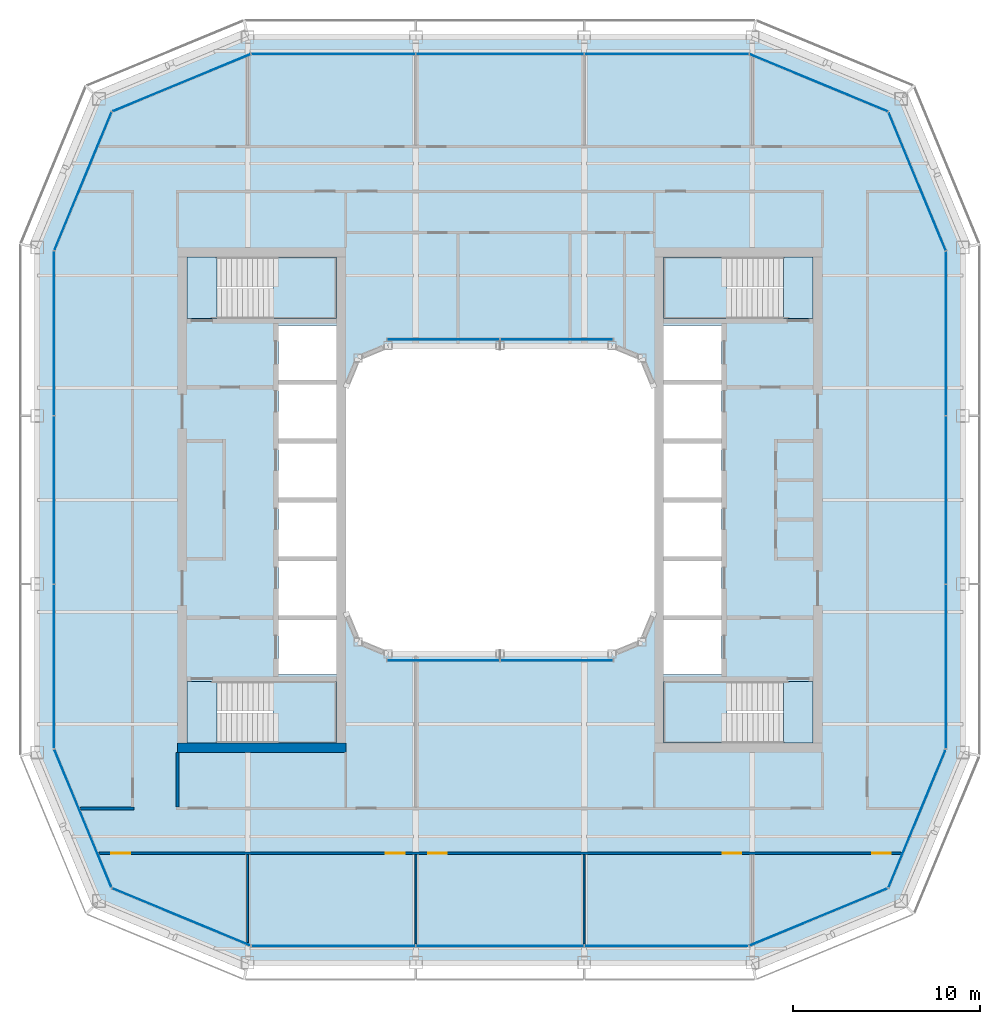
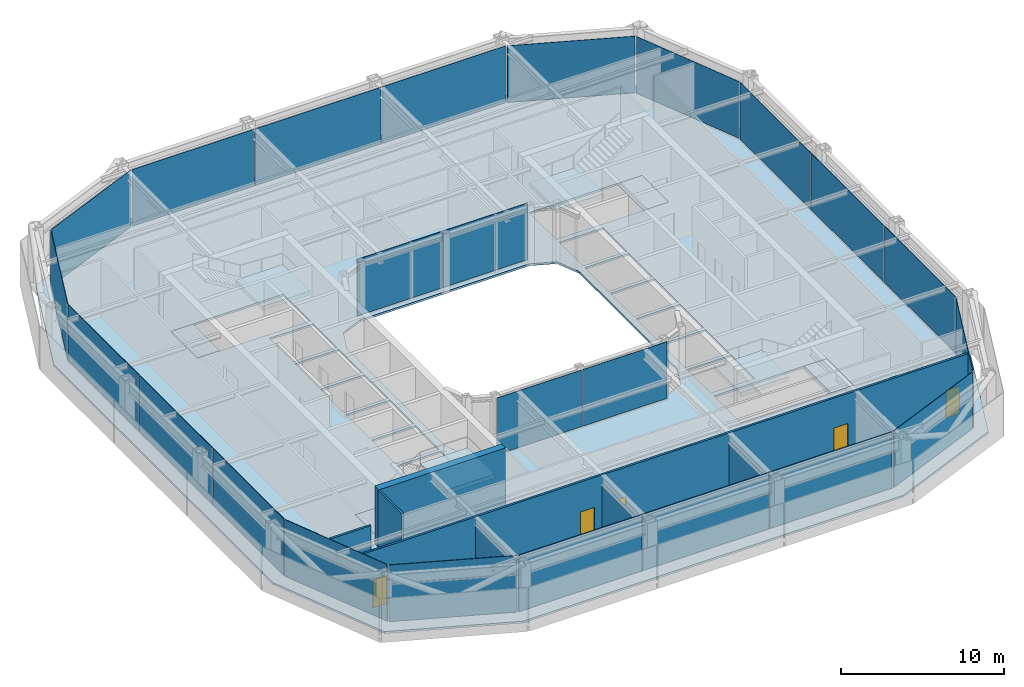
# One storey, part 10 of 18: 24 plates, 9 slabs, 7 walls, 5 doors, 5 openings, 18 elements without a shape of their own.
"""IFC4 building model written with IfcOpenShell, lengths in metres."""

from ifc_helpers import new_model, si_unit, direction, frame, frame_2d, origin, origin_2d, place, context, subcontext, project, spatial, polyline, rectangle, outline, extrude, material, layer, layer_set, type_object, element, fill, aggregate, save


model = new_model("IFC4")

# Units and contexts
model_context = context("Model", 3, precision=1e-05, world=origin(), true_north=direction((0.0, 1.0)))
body_context = subcontext(model_context, "Body", "Model", "MODEL_VIEW")
ifc_project = project(units=[si_unit("LENGTHUNIT", "METRE"), si_unit("AREAUNIT", "SQUARE_METRE"), si_unit("VOLUMEUNIT", "CUBIC_METRE"), si_unit("PLANEANGLEUNIT", "RADIAN"), si_unit("MASSUNIT", "GRAM", prefix="KILO")], contexts=[model_context])

# Site, building, storey
site_placement = place(None, origin())
site = spatial("IfcSite", under=ifc_project, at=site_placement, CompositionType="ELEMENT")
building_placement = place(site_placement, origin())
building = spatial("IfcBuilding", under=site, at=building_placement, Name="Siwar Civic Tower", CompositionType="ELEMENT")
storey_placement = place(building_placement, frame((0.0, 0.0, 321.199951171875)))
storey = spatial("IfcBuildingStorey", under=building, at=storey_placement, Name="L69", CompositionType="ELEMENT", Elevation=321.199951171875)

# Stair, slabs
ifc_material_1 = material(Name="Concrete C40/50", Category="concrete")
stair_type = type_object("IfcStairType", Name="CORE-STAIR", PredefinedType="TWO_STRAIGHT_RUN_STAIR", material=ifc_material_1)
stair_1_placement = place(storey_placement, origin())
stair_1 = element("IfcStair", 1, at=stair_1_placement, inside=storey, type_object=stair_type, Name="Exit stair ST1", PredefinedType="TWO_STRAIGHT_RUN_STAIR")
ifc_material_2 = material(Name="Concrete C40/50", Category="concrete")
ifc_layer_1 = layer(ifc_material_2, 0.300048828125)
ifc_layer_set_1 = layer_set([ifc_layer_1], Name="Concrete C40/50")
slab_type_1 = type_object("IfcSlabType", Name="CORE-STAIR-LANDING", PredefinedType="LANDING", material=ifc_layer_set_1)
slab_1_placement = place(storey_placement, frame((0.0, 0.0, -0.300048828125)))
slab_1 = element("IfcSlab", 2, at=slab_1_placement, type_object=slab_type_1, Name="ST1 landing 1", PredefinedType="LANDING", context=body_context, shape_type="SweptSolid", body=[
    extrude(outline(polyline([(-15.14990234375, 13.0), (-16.75, 13.0), (-16.75, 9.699951171875), (-15.14990234375, 9.699951171875), (-15.14990234375, 13.0)])), origin(), (0.0, 0.0, 1.0), 0.300048828125),
])
slab_2_placement = place(storey_placement, frame((0.0, 0.0, 1.949951171875)))
slab_2 = element("IfcSlab", 3, at=slab_2_placement, type_object=slab_type_1, Name="ST1 landing 2", PredefinedType="LANDING", context=body_context, shape_type="SweptSolid", body=[
    extrude(outline(polyline([(-8.75, 13.0), (-12.139892578125, 13.0), (-12.139892578125, 9.699951171875), (-8.75, 9.699951171875), (-8.75, 13.0)])), origin(), (0.0, 0.0, 1.0), 0.300048828125),
])
aggregate(stair_1, [slab_1, slab_2])

stair_2_placement = place(storey_placement, origin())
stair_2 = element("IfcStair", 4, at=stair_2_placement, inside=storey, type_object=stair_type, Name="Exit stair ST2", PredefinedType="TWO_STRAIGHT_RUN_STAIR")
slab_3_placement = place(storey_placement, frame((0.0, 0.0, -0.300048828125)))
slab_3 = element("IfcSlab", 5, at=slab_3_placement, type_object=slab_type_1, Name="ST2 landing 1", PredefinedType="LANDING", context=body_context, shape_type="SweptSolid", body=[
    extrude(outline(polyline([(-15.14990234375, -9.699951171875), (-16.75, -9.699951171875), (-16.75, -13.0), (-15.14990234375, -13.0), (-15.14990234375, -9.699951171875)])), origin(), (0.0, 0.0, 1.0), 0.300048828125),
])
slab_4_placement = place(storey_placement, frame((0.0, 0.0, 1.949951171875)))
slab_4 = element("IfcSlab", 6, at=slab_4_placement, type_object=slab_type_1, Name="ST2 landing 2", PredefinedType="LANDING", context=body_context, shape_type="SweptSolid", body=[
    extrude(outline(polyline([(-8.75, -9.699951171875), (-12.139892578125, -9.699951171875), (-12.139892578125, -13.0), (-8.75, -13.0), (-8.75, -9.699951171875)])), origin(), (0.0, 0.0, 1.0), 0.300048828125),
])
aggregate(stair_2, [slab_3, slab_4])

stair_3_placement = place(storey_placement, origin())
stair_3 = element("IfcStair", 7, at=stair_3_placement, inside=storey, type_object=stair_type, Name="Exit stair ST3", PredefinedType="TWO_STRAIGHT_RUN_STAIR")
slab_5_placement = place(storey_placement, frame((0.0, 0.0, -0.300048828125)))
slab_5 = element("IfcSlab", 8, at=slab_5_placement, type_object=slab_type_1, Name="ST3 landing 1", PredefinedType="LANDING", context=body_context, shape_type="SweptSolid", body=[
    extrude(outline(polyline([(15.14990234375, 9.699951171875), (16.75, 9.699951171875), (16.75, 13.0), (15.14990234375, 13.0), (15.14990234375, 9.699951171875)])), origin(), (0.0, 0.0, 1.0), 0.300048828125),
])
slab_6_placement = place(storey_placement, frame((0.0, 0.0, 1.949951171875)))
slab_6 = element("IfcSlab", 9, at=slab_6_placement, type_object=slab_type_1, Name="ST3 landing 2", PredefinedType="LANDING", context=body_context, shape_type="SweptSolid", body=[
    extrude(outline(polyline([(8.75, 9.699951171875), (12.139892578125, 9.699951171875), (12.139892578125, 13.0), (8.75, 13.0), (8.75, 9.699951171875)])), origin(), (0.0, 0.0, 1.0), 0.300048828125),
])
aggregate(stair_3, [slab_5, slab_6])

stair_4_placement = place(storey_placement, origin())
stair_4 = element("IfcStair", 10, at=stair_4_placement, inside=storey, type_object=stair_type, Name="Exit stair ST4", PredefinedType="TWO_STRAIGHT_RUN_STAIR")
slab_7_placement = place(storey_placement, frame((0.0, 0.0, -0.300048828125)))
slab_7 = element("IfcSlab", 11, at=slab_7_placement, type_object=slab_type_1, Name="ST4 landing 1", PredefinedType="LANDING", context=body_context, shape_type="SweptSolid", body=[
    extrude(outline(polyline([(15.14990234375, -13.0), (16.75, -13.0), (16.75, -9.699951171875), (15.14990234375, -9.699951171875), (15.14990234375, -13.0)])), origin(), (0.0, 0.0, 1.0), 0.300048828125),
])
slab_8_placement = place(storey_placement, frame((0.0, 0.0, 1.949951171875)))
slab_8 = element("IfcSlab", 12, at=slab_8_placement, type_object=slab_type_1, Name="ST4 landing 2", PredefinedType="LANDING", context=body_context, shape_type="SweptSolid", body=[
    extrude(outline(polyline([(8.75, -13.0), (12.139892578125, -13.0), (12.139892578125, -9.699951171875), (8.75, -9.699951171875), (8.75, -13.0)])), origin(), (0.0, 0.0, 1.0), 0.300048828125),
])
aggregate(stair_4, [slab_7, slab_8])

# Curtain wall, plates
ifc_material_3 = material(Name="Aluminium and glass", Category="aluminium")
ifc_layer_2 = layer(ifc_material_3, 0.159912109375)
ifc_layer_set_2 = layer_set([ifc_layer_2], Name="Aluminium and glass")
curtain_wall_type_1 = type_object("IfcCurtainWallType", Name="ENV-CW-D", PredefinedType="NOTDEFINED", material=ifc_layer_set_2)
curtain_wall_1_placement = place(storey_placement, origin())
curtain_wall_1 = element("IfcCurtainWall", 13, at=curtain_wall_1_placement, inside=storey, type_object=curtain_wall_type_1, Name="Curtain wall D S", PredefinedType="NOTDEFINED")
ifc_material_4 = material(Name="Glass clear laminated", Category="glass")
ifc_layer_3 = layer(ifc_material_4, 0.030029296875)
ifc_layer_set_3 = layer_set([ifc_layer_3], Name="Glass clear laminated")
plate_type_1 = type_object("IfcPlateType", Name="ENV-PANEL-D", PredefinedType="CURTAIN_PANEL", material=ifc_layer_set_3)
plate_1_placement = place(storey_placement, frame((-8.910400390625, -23.85009765625, 0.10009765625), z_axis=(0.0, 0.0, 1.0), x_axis=(1.0, 0.0, 0.0)))
plate_1 = element("IfcPlate", 14, at=plate_1_placement, type_object=plate_type_1, Name="Curtain panel D S 1", PredefinedType="CURTAIN_PANEL", context=body_context, shape_type="SweptSolid", body=[
    extrude(rectangle(XDim=8.760986328125, YDim=0.030029296875, at=origin_2d()), origin(), (0.0, 0.0, 1.0), 4.25),
])
plate_2_placement = place(storey_placement, frame((0.0, -23.85009765625, 0.10009765625), z_axis=(0.0, 0.0, 1.0), x_axis=(1.0, 0.0, 0.0)))
plate_2 = element("IfcPlate", 15, at=plate_2_placement, type_object=plate_type_1, Name="Curtain panel D S 2", PredefinedType="CURTAIN_PANEL", context=body_context, shape_type="SweptSolid", body=[
    extrude(rectangle(XDim=8.93994140625, YDim=0.030029296875, at=origin_2d()), origin(), (0.0, 0.0, 1.0), 4.25),
])
plate_3_placement = place(storey_placement, frame((8.876708984375, -23.85009765625, 0.10009765625), z_axis=(0.0, 0.0, 1.0), x_axis=(1.0, 0.0, 0.0)))
plate_3 = element("IfcPlate", 16, at=plate_3_placement, type_object=plate_type_1, Name="Curtain panel D S 3", PredefinedType="CURTAIN_PANEL", context=body_context, shape_type="SweptSolid", body=[
    extrude(rectangle(XDim=8.693115234375, YDim=0.030029296875, at=origin_2d()), origin(), (0.0, 0.0, 1.0), 4.25),
])
aggregate(curtain_wall_1, [plate_1, plate_2, plate_3])

curtain_wall_2_placement = place(storey_placement, origin())
curtain_wall_2 = element("IfcCurtainWall", 17, at=curtain_wall_2_placement, inside=storey, type_object=curtain_wall_type_1, Name="Curtain wall D E", PredefinedType="NOTDEFINED")
plate_4_placement = place(storey_placement, frame((23.85009765625, -8.910400390625, 0.10009765625), z_axis=(0.0, 0.0, 1.0), x_axis=(0.0, 1.0, 0.0)))
plate_4 = element("IfcPlate", 18, at=plate_4_placement, type_object=plate_type_1, Name="Curtain panel D E 1", PredefinedType="CURTAIN_PANEL", context=body_context, shape_type="SweptSolid", body=[
    extrude(rectangle(XDim=8.760986328125, YDim=0.030029296875, at=origin_2d()), origin(), (0.0, 0.0, 1.0), 4.25),
])
plate_5_placement = place(storey_placement, frame((23.85009765625, 0.0, 0.10009765625), z_axis=(0.0, 0.0, 1.0), x_axis=(0.0, 1.0, 0.0)))
plate_5 = element("IfcPlate", 19, at=plate_5_placement, type_object=plate_type_1, Name="Curtain panel D E 2", PredefinedType="CURTAIN_PANEL", context=body_context, shape_type="SweptSolid", body=[
    extrude(rectangle(XDim=8.93994140625, YDim=0.030029296875, at=origin_2d()), origin(), (0.0, 0.0, 1.0), 4.25),
])
plate_6_placement = place(storey_placement, frame((23.85009765625, 8.876708984375, 0.10009765625), z_axis=(0.0, 0.0, 1.0), x_axis=(0.0, 1.0, 0.0)))
plate_6 = element("IfcPlate", 20, at=plate_6_placement, type_object=plate_type_1, Name="Curtain panel D E 3", PredefinedType="CURTAIN_PANEL", context=body_context, shape_type="SweptSolid", body=[
    extrude(rectangle(XDim=8.693115234375, YDim=0.030029296875, at=origin_2d()), origin(), (0.0, 0.0, 1.0), 4.25),
])
aggregate(curtain_wall_2, [plate_4, plate_5, plate_6])

curtain_wall_3_placement = place(storey_placement, origin())
curtain_wall_3 = element("IfcCurtainWall", 21, at=curtain_wall_3_placement, inside=storey, type_object=curtain_wall_type_1, Name="Curtain wall D N", PredefinedType="NOTDEFINED")
plate_7_placement = place(storey_placement, frame((8.910400390625, 23.85009765625, 0.10009765625), z_axis=(0.0, 0.0, 1.0), x_axis=(-1.0, 0.0, 0.0)))
plate_7 = element("IfcPlate", 22, at=plate_7_placement, type_object=plate_type_1, Name="Curtain panel D N 1", PredefinedType="CURTAIN_PANEL", context=body_context, shape_type="SweptSolid", body=[
    extrude(rectangle(XDim=8.760986328125, YDim=0.030029296875, at=origin_2d()), origin(), (0.0, 0.0, 1.0), 4.25),
])
plate_8_placement = place(storey_placement, frame((0.0, 23.85009765625, 0.10009765625), z_axis=(0.0, 0.0, 1.0), x_axis=(-1.0, 0.0, 0.0)))
plate_8 = element("IfcPlate", 23, at=plate_8_placement, type_object=plate_type_1, Name="Curtain panel D N 2", PredefinedType="CURTAIN_PANEL", context=body_context, shape_type="SweptSolid", body=[
    extrude(rectangle(XDim=8.93994140625, YDim=0.030029296875, at=origin_2d()), origin(), (0.0, 0.0, 1.0), 4.25),
])
plate_9_placement = place(storey_placement, frame((-8.876708984375, 23.85009765625, 0.10009765625), z_axis=(0.0, 0.0, 1.0), x_axis=(-1.0, 0.0, 0.0)))
plate_9 = element("IfcPlate", 24, at=plate_9_placement, type_object=plate_type_1, Name="Curtain panel D N 3", PredefinedType="CURTAIN_PANEL", context=body_context, shape_type="SweptSolid", body=[
    extrude(rectangle(XDim=8.693115234375, YDim=0.030029296875, at=origin_2d()), origin(), (0.0, 0.0, 1.0), 4.25),
])
aggregate(curtain_wall_3, [plate_7, plate_8, plate_9])

curtain_wall_4_placement = place(storey_placement, origin())
curtain_wall_4 = element("IfcCurtainWall", 25, at=curtain_wall_4_placement, inside=storey, type_object=curtain_wall_type_1, Name="Curtain wall D W", PredefinedType="NOTDEFINED")
plate_10_placement = place(storey_placement, frame((-23.85009765625, 8.910400390625, 0.10009765625), z_axis=(0.0, 0.0, 1.0), x_axis=(0.0, -1.0, 0.0)))
plate_10 = element("IfcPlate", 26, at=plate_10_placement, type_object=plate_type_1, Name="Curtain panel D W 1", PredefinedType="CURTAIN_PANEL", context=body_context, shape_type="SweptSolid", body=[
    extrude(rectangle(XDim=8.760986328125, YDim=0.030029296875, at=origin_2d()), origin(), (0.0, 0.0, 1.0), 4.25),
])
plate_11_placement = place(storey_placement, frame((-23.85009765625, 0.0, 0.10009765625), z_axis=(0.0, 0.0, 1.0), x_axis=(0.0, -1.0, 0.0)))
plate_11 = element("IfcPlate", 27, at=plate_11_placement, type_object=plate_type_1, Name="Curtain panel D W 2", PredefinedType="CURTAIN_PANEL", context=body_context, shape_type="SweptSolid", body=[
    extrude(rectangle(XDim=8.93994140625, YDim=0.030029296875, at=origin_2d()), origin(), (0.0, 0.0, 1.0), 4.25),
])
plate_12_placement = place(storey_placement, frame((-23.85009765625, -8.876708984375, 0.10009765625), z_axis=(0.0, 0.0, 1.0), x_axis=(0.0, -1.0, 0.0)))
plate_12 = element("IfcPlate", 28, at=plate_12_placement, type_object=plate_type_1, Name="Curtain panel D W 3", PredefinedType="CURTAIN_PANEL", context=body_context, shape_type="SweptSolid", body=[
    extrude(rectangle(XDim=8.693115234375, YDim=0.030029296875, at=origin_2d()), origin(), (0.0, 0.0, 1.0), 4.25),
])
aggregate(curtain_wall_4, [plate_10, plate_11, plate_12])

# Curtain wall, plate
ifc_material_5 = material(Name="Aluminium clad insulated panel", Category="aluminium")
ifc_layer_4 = layer(ifc_material_5, 0.159912109375)
ifc_layer_set_4 = layer_set([ifc_layer_4], Name="Aluminium clad insulated panel")
curtain_wall_type_2 = type_object("IfcCurtainWallType", Name="ENV-CW-DX", PredefinedType="NOTDEFINED", material=ifc_layer_set_4)
curtain_wall_5_placement = place(storey_placement, origin())
curtain_wall_5 = element("IfcCurtainWall", 29, at=curtain_wall_5_placement, inside=storey, type_object=curtain_wall_type_2, Name="Curtain wall D SE1", PredefinedType="NOTDEFINED")
ifc_material_6 = material(Name="Aluminium clad insulated panel", Category="aluminium")
ifc_layer_5 = layer(ifc_material_6, 0.030029296875)
ifc_layer_set_5 = layer_set([ifc_layer_5], Name="Aluminium clad insulated panel")
plate_type_2 = type_object("IfcPlateType", Name="ENV-PANEL-DX", PredefinedType="CURTAIN_PANEL", material=ifc_layer_set_5)
plate_13_placement = place(storey_placement, frame((17.01220703125, -22.321044921875, 0.10009765625), z_axis=(0.0, 0.0, 1.0), x_axis=(0.923879532511, 0.382683432365, 0.0)))
plate_13 = element("IfcPlate", 30, at=plate_13_placement, type_object=plate_type_2, Name="Curtain panel D SE1 1", PredefinedType="CURTAIN_PANEL", context=body_context, shape_type="SweptSolid", body=[
    extrude(rectangle(XDim=7.9306640625, YDim=0.030029296875, at=origin_2d()), origin(), (0.0, 0.0, 1.0), 4.25),
])
aggregate(curtain_wall_5, [plate_13])

curtain_wall_6_placement = place(storey_placement, origin())
curtain_wall_6 = element("IfcCurtainWall", 31, at=curtain_wall_6_placement, inside=storey, type_object=curtain_wall_type_2, Name="Curtain wall D SE2", PredefinedType="NOTDEFINED")
plate_14_placement = place(storey_placement, frame((22.295166015625, -17.074951171875, 0.10009765625), z_axis=(0.0, 0.0, 1.0), x_axis=(0.382683432365, 0.923879532511, 0.0)))
plate_14 = element("IfcPlate", 32, at=plate_14_placement, type_object=plate_type_2, Name="Curtain panel D SE2 1", PredefinedType="CURTAIN_PANEL", context=body_context, shape_type="SweptSolid", body=[
    extrude(rectangle(XDim=7.9306640625, YDim=0.030029296875, at=origin_2d()), origin(), (0.0, 0.0, 1.0), 4.25),
])
aggregate(curtain_wall_6, [plate_14])

curtain_wall_7_placement = place(storey_placement, origin())
curtain_wall_7 = element("IfcCurtainWall", 33, at=curtain_wall_7_placement, inside=storey, type_object=curtain_wall_type_2, Name="Curtain wall D NE1", PredefinedType="NOTDEFINED")
plate_15_placement = place(storey_placement, frame((22.321044921875, 17.01220703125, 0.10009765625), z_axis=(0.0, 0.0, 1.0), x_axis=(-0.382683432365, 0.923879532511, 0.0)))
plate_15 = element("IfcPlate", 34, at=plate_15_placement, type_object=plate_type_2, Name="Curtain panel D NE1 1", PredefinedType="CURTAIN_PANEL", context=body_context, shape_type="SweptSolid", body=[
    extrude(rectangle(XDim=7.9306640625, YDim=0.030029296875, at=origin_2d()), origin(), (0.0, 0.0, 1.0), 4.25),
])
aggregate(curtain_wall_7, [plate_15])

curtain_wall_8_placement = place(storey_placement, origin())
curtain_wall_8 = element("IfcCurtainWall", 35, at=curtain_wall_8_placement, inside=storey, type_object=curtain_wall_type_2, Name="Curtain wall D NE2", PredefinedType="NOTDEFINED")
plate_16_placement = place(storey_placement, frame((17.074951171875, 22.295166015625, 0.10009765625), z_axis=(0.0, 0.0, 1.0), x_axis=(-0.923879532511, 0.382683432365, 0.0)))
plate_16 = element("IfcPlate", 36, at=plate_16_placement, type_object=plate_type_2, Name="Curtain panel D NE2 1", PredefinedType="CURTAIN_PANEL", context=body_context, shape_type="SweptSolid", body=[
    extrude(rectangle(XDim=7.9306640625, YDim=0.030029296875, at=origin_2d()), origin(), (0.0, 0.0, 1.0), 4.25),
])
aggregate(curtain_wall_8, [plate_16])

curtain_wall_9_placement = place(storey_placement, origin())
curtain_wall_9 = element("IfcCurtainWall", 37, at=curtain_wall_9_placement, inside=storey, type_object=curtain_wall_type_2, Name="Curtain wall D NW1", PredefinedType="NOTDEFINED")
plate_17_placement = place(storey_placement, frame((-17.01220703125, 22.321044921875, 0.10009765625), z_axis=(0.0, 0.0, 1.0), x_axis=(-0.923879532511, -0.382683432365, 0.0)))
plate_17 = element("IfcPlate", 38, at=plate_17_placement, type_object=plate_type_2, Name="Curtain panel D NW1 1", PredefinedType="CURTAIN_PANEL", context=body_context, shape_type="SweptSolid", body=[
    extrude(rectangle(XDim=7.9306640625, YDim=0.030029296875, at=origin_2d()), origin(), (0.0, 0.0, 1.0), 4.25),
])
aggregate(curtain_wall_9, [plate_17])

curtain_wall_10_placement = place(storey_placement, origin())
curtain_wall_10 = element("IfcCurtainWall", 39, at=curtain_wall_10_placement, inside=storey, type_object=curtain_wall_type_2, Name="Curtain wall D NW2", PredefinedType="NOTDEFINED")
plate_18_placement = place(storey_placement, frame((-22.295166015625, 17.074951171875, 0.10009765625), z_axis=(0.0, 0.0, 1.0), x_axis=(-0.382683432365, -0.923879532511, 0.0)))
plate_18 = element("IfcPlate", 40, at=plate_18_placement, type_object=plate_type_2, Name="Curtain panel D NW2 1", PredefinedType="CURTAIN_PANEL", context=body_context, shape_type="SweptSolid", body=[
    extrude(rectangle(XDim=7.9306640625, YDim=0.030029296875, at=origin_2d()), origin(), (0.0, 0.0, 1.0), 4.25),
])
aggregate(curtain_wall_10, [plate_18])

curtain_wall_11_placement = place(storey_placement, origin())
curtain_wall_11 = element("IfcCurtainWall", 41, at=curtain_wall_11_placement, inside=storey, type_object=curtain_wall_type_2, Name="Curtain wall D SW1", PredefinedType="NOTDEFINED")
plate_19_placement = place(storey_placement, frame((-22.321044921875, -17.01220703125, 0.10009765625), z_axis=(0.0, 0.0, 1.0), x_axis=(0.382683432365, -0.923879532511, 0.0)))
plate_19 = element("IfcPlate", 42, at=plate_19_placement, type_object=plate_type_2, Name="Curtain panel D SW1 1", PredefinedType="CURTAIN_PANEL", context=body_context, shape_type="SweptSolid", body=[
    extrude(rectangle(XDim=7.9306640625, YDim=0.030029296875, at=origin_2d()), origin(), (0.0, 0.0, 1.0), 4.25),
])
aggregate(curtain_wall_11, [plate_19])

curtain_wall_12_placement = place(storey_placement, origin())
curtain_wall_12 = element("IfcCurtainWall", 43, at=curtain_wall_12_placement, inside=storey, type_object=curtain_wall_type_2, Name="Curtain wall D SW2", PredefinedType="NOTDEFINED")
plate_20_placement = place(storey_placement, frame((-17.074951171875, -22.295166015625, 0.10009765625), z_axis=(0.0, 0.0, 1.0), x_axis=(0.923879532511, -0.382683432365, 0.0)))
plate_20 = element("IfcPlate", 44, at=plate_20_placement, type_object=plate_type_2, Name="Curtain panel D SW2 1", PredefinedType="CURTAIN_PANEL", context=body_context, shape_type="SweptSolid", body=[
    extrude(rectangle(XDim=7.9306640625, YDim=0.030029296875, at=origin_2d()), origin(), (0.0, 0.0, 1.0), 4.25),
])
aggregate(curtain_wall_12, [plate_20])

# Curtain wall, plates
ifc_material_7 = material(Name="Aluminium and glass", Category="aluminium")
ifc_layer_6 = layer(ifc_material_7, 0.179931640625)
ifc_layer_set_6 = layer_set([ifc_layer_6], Name="Aluminium and glass")
curtain_wall_type_3 = type_object("IfcCurtainWallType", Name="ENV-CW-W", PredefinedType="NOTDEFINED", material=ifc_layer_set_6)
curtain_wall_13_placement = place(storey_placement, origin())
curtain_wall_13 = element("IfcCurtainWall", 45, at=curtain_wall_13_placement, inside=storey, type_object=curtain_wall_type_3, Name="Curtain wall W WS", PredefinedType="NOTDEFINED")
ifc_material_8 = material(Name="Glass clear laminated", Category="glass")
ifc_layer_7 = layer(ifc_material_8, 0.031982421875)
ifc_layer_set_7 = layer_set([ifc_layer_7], Name="Glass clear laminated")
plate_type_3 = type_object("IfcPlateType", Name="ENV-PANEL-W", PredefinedType="CURTAIN_PANEL", material=ifc_layer_set_7)
plate_21_placement = place(storey_placement, frame((-3.033203125, -8.5849609375, 0.10009765625), z_axis=(0.0, 0.0, 1.0), x_axis=(1.0, 0.0, 0.0)))
plate_21 = element("IfcPlate", 46, at=plate_21_placement, type_object=plate_type_3, Name="Curtain panel W WS 1", PredefinedType="CURTAIN_PANEL", context=body_context, shape_type="SweptSolid", body=[
    extrude(rectangle(XDim=6.006591796875, YDim=0.031982421875, at=origin_2d()), origin(), (0.0, 0.0, 1.0), 4.25),
])
plate_22_placement = place(storey_placement, frame((3.033203125, -8.5849609375, 0.10009765625), z_axis=(0.0, 0.0, 1.0), x_axis=(1.0, 0.0, 0.0)))
plate_22 = element("IfcPlate", 47, at=plate_22_placement, type_object=plate_type_3, Name="Curtain panel W WS 2", PredefinedType="CURTAIN_PANEL", context=body_context, shape_type="SweptSolid", body=[
    extrude(rectangle(XDim=6.006591796875, YDim=0.031982421875, at=origin_2d()), origin(), (0.0, 0.0, 1.0), 4.25),
])
aggregate(curtain_wall_13, [plate_21, plate_22])

curtain_wall_14_placement = place(storey_placement, origin())
curtain_wall_14 = element("IfcCurtainWall", 48, at=curtain_wall_14_placement, inside=storey, type_object=curtain_wall_type_3, Name="Curtain wall W WN", PredefinedType="NOTDEFINED")
plate_23_placement = place(storey_placement, frame((3.033203125, 8.5849609375, 0.10009765625), z_axis=(0.0, 0.0, 1.0), x_axis=(-1.0, 0.0, 0.0)))
plate_23 = element("IfcPlate", 49, at=plate_23_placement, type_object=plate_type_3, Name="Curtain panel W WN 1", PredefinedType="CURTAIN_PANEL", context=body_context, shape_type="SweptSolid", body=[
    extrude(rectangle(XDim=6.006591796875, YDim=0.031982421875, at=origin_2d()), origin(), (0.0, 0.0, 1.0), 4.25),
])
plate_24_placement = place(storey_placement, frame((-3.033203125, 8.5849609375, 0.10009765625), z_axis=(0.0, 0.0, 1.0), x_axis=(-1.0, 0.0, 0.0)))
plate_24 = element("IfcPlate", 50, at=plate_24_placement, type_object=plate_type_3, Name="Curtain panel W WN 2", PredefinedType="CURTAIN_PANEL", context=body_context, shape_type="SweptSolid", body=[
    extrude(rectangle(XDim=6.006591796875, YDim=0.031982421875, at=origin_2d()), origin(), (0.0, 0.0, 1.0), 4.25),
])
aggregate(curtain_wall_14, [plate_23, plate_24])

# Slab
ifc_material_9 = material(Name="Concrete C40/50", Category="concrete")
ifc_layer_8 = layer(ifc_material_9, 0.14990234375)
ifc_layer_set_8 = layer_set([ifc_layer_8], Name="Concrete C40/50")
slab_type_2 = type_object("IfcSlabType", Name="STR-FLOOR-DECK-150", PredefinedType="FLOOR", material=ifc_layer_set_8)
slab_9_placement = place(storey_placement, frame((0.0, 0.0, -0.14990234375)))
element("IfcSlab", 51, at=slab_9_placement, inside=storey, type_object=slab_type_2, Name="L69/slab/1", PredefinedType="FLOOR", context=body_context, shape_type="SweptSolid", body=[
    extrude(outline(polyline([(-13.5, -24.75), (13.5, -24.75), (21.454833984375, -21.454833984375), (24.75, -13.5), (24.75, 13.5), (21.454833984375, 21.454833984375), (13.5, 24.75), (-13.5, 24.75), (-21.454833984375, 21.454833984375), (-24.75, 13.5), (-24.75, -13.5), (-21.454833984375, -21.454833984375), (-13.5, -24.75)]), holes=[polyline([(16.75, 13.0), (16.75, 9.699951171875), (8.75, 9.699951171875), (8.75, 13.0), (16.75, 13.0)]), polyline([(8.75, -9.699951171875), (16.75, -9.699951171875), (16.75, -13.0), (8.75, -13.0), (8.75, -9.699951171875)]), polyline([(11.85009765625, 9.324951171875), (11.85009765625, 6.425048828125), (8.75, 6.425048828125), (8.75, 9.324951171875), (11.85009765625, 9.324951171875)]), polyline([(8.75, 6.175048828125), (11.85009765625, 6.175048828125), (11.85009765625, 3.27490234375), (8.75, 3.27490234375), (8.75, 6.175048828125)]), polyline([(8.75, 3.02490234375), (11.85009765625, 3.02490234375), (11.85009765625, 0.125), (8.75, 0.125), (8.75, 3.02490234375)]), polyline([(8.75, -0.125), (11.85009765625, -0.125), (11.85009765625, -3.02490234375), (8.75, -3.02490234375), (8.75, -0.125)]), polyline([(8.75, -3.27490234375), (11.85009765625, -3.27490234375), (11.85009765625, -6.175048828125), (8.75, -6.175048828125), (8.75, -3.27490234375)]), polyline([(8.75, -6.425048828125), (11.85009765625, -6.425048828125), (11.85009765625, -9.324951171875), (8.75, -9.324951171875), (8.75, -6.425048828125)]), polyline([(-6.0, 8.25), (6.0, 8.25), (7.591064453125, 7.591064453125), (8.25, 6.0), (8.25, -6.0), (7.591064453125, -7.591064453125), (6.0, -8.25), (-6.0, -8.25), (-7.591064453125, -7.591064453125), (-8.25, -6.0), (-8.25, 6.0), (-7.591064453125, 7.591064453125), (-6.0, 8.25)]), polyline([(-8.75, -13.0), (-16.75, -13.0), (-16.75, -9.699951171875), (-8.75, -9.699951171875), (-8.75, -13.0)]), polyline([(-8.75, 9.699951171875), (-16.75, 9.699951171875), (-16.75, 13.0), (-8.75, 13.0), (-8.75, 9.699951171875)]), polyline([(-8.75, 6.425048828125), (-11.85009765625, 6.425048828125), (-11.85009765625, 9.324951171875), (-8.75, 9.324951171875), (-8.75, 6.425048828125)]), polyline([(-8.75, 3.27490234375), (-11.85009765625, 3.27490234375), (-11.85009765625, 6.175048828125), (-8.75, 6.175048828125), (-8.75, 3.27490234375)]), polyline([(-8.75, 0.125), (-11.85009765625, 0.125), (-11.85009765625, 3.02490234375), (-8.75, 3.02490234375), (-8.75, 0.125)]), polyline([(-8.75, -3.02490234375), (-11.85009765625, -3.02490234375), (-11.85009765625, -0.125), (-8.75, -0.125), (-8.75, -3.02490234375)]), polyline([(-8.75, -6.175048828125), (-11.85009765625, -6.175048828125), (-11.85009765625, -3.27490234375), (-8.75, -3.27490234375), (-8.75, -6.175048828125)]), polyline([(-8.75, -9.324951171875), (-11.85009765625, -9.324951171875), (-11.85009765625, -6.425048828125), (-8.75, -6.425048828125), (-8.75, -9.324951171875)])]), origin(), (0.0, 0.0, 1.0), 0.14990234375),
])

# Wall
ifc_material_10 = material(Name="Concrete C60/75", Category="concrete")
ifc_layer_9 = layer(ifc_material_10, 0.5)
ifc_layer_set_9 = layer_set([ifc_layer_9], Name="Concrete C60/75")
wall_type_1 = type_object("IfcWallType", Name="CORE-WALL-RC500", PredefinedType="SHEAR", material=ifc_layer_set_9)
wall_1_placement = place(storey_placement, frame((-8.25, -13.25, 0.0), z_axis=(0.0, 0.0, 1.0), x_axis=(-1.0, 0.0, 0.0)))
element("IfcWall", 52, at=wall_1_placement, inside=storey, type_object=wall_type_1, Name="Core wall W", PredefinedType="SHEAR", context=body_context, shape_type="SweptSolid", body=[
    extrude(rectangle(XDim=9.0, YDim=0.5, at=frame_2d((4.5, 0.0))), origin(), (0.0, 0.0, 1.0), 4.35009765625),
])

# Wall, openings, doors
ifc_material_11 = material(Name="Gypsum board on steel studs", Category="steel")
ifc_layer_10 = layer(ifc_material_11, 0.14990234375)
ifc_layer_set_10 = layer_set([ifc_layer_10], Name="Gypsum board on steel studs")
wall_type_2 = type_object("IfcWallType", Name="CORRIDOR PARTITION 150 EI 30", PredefinedType="PARTITIONING", material=ifc_layer_set_10)
wall_2_placement = place(storey_placement, frame((-21.44091796875, -18.89990234375, 0.0), z_axis=(0.0, 0.0, 1.0), x_axis=(1.0, 0.0, 0.0)))
wall_2 = element("IfcWall", 53, at=wall_2_placement, inside=storey, type_object=wall_type_2, Name="L69/wall/P01", PredefinedType="PARTITIONING", context=body_context, shape_type="SweptSolid", body=[
    extrude(rectangle(XDim=42.8818359375, YDim=0.14990234375, at=frame_2d((21.44091796875, 0.0))), origin(), (0.0, 0.0, 1.0), 4.35009765625),
])
opening_1_placement = place(wall_2_placement, frame((15.341064453125, 0.0, 0.0)))
opening_1 = element("IfcOpeningElement", 54, at=opening_1_placement, cuts=wall_2, Name="Opening D1", PredefinedType="OPENING", context=body_context, shape_type="SweptSolid", body=[
    extrude(rectangle(XDim=1.0, YDim=2.10009765625, at=frame_2d((0.5, 1.050048828125))), frame((0.0, 0.0849609375, 0.0), z_axis=(0.0, -1.0, 0.0), x_axis=(1.0, 0.0, 0.0)), (0.0, 0.0, 1.0), 0.169921875),
])
opening_2_placement = place(wall_2_placement, frame((17.591064453125, 0.0, 0.0)))
opening_2 = element("IfcOpeningElement", 55, at=opening_2_placement, cuts=wall_2, Name="Opening D1", PredefinedType="OPENING", context=body_context, shape_type="SweptSolid", body=[
    extrude(rectangle(XDim=1.0, YDim=2.10009765625, at=frame_2d((0.5, 1.050048828125))), frame((0.0, 0.0849609375, 0.0), z_axis=(0.0, -1.0, 0.0), x_axis=(1.0, 0.0, 0.0)), (0.0, 0.0, 1.0), 0.169921875),
])
opening_3_placement = place(wall_2_placement, frame((33.341064453125, 0.0, 0.0)))
opening_3 = element("IfcOpeningElement", 56, at=opening_3_placement, cuts=wall_2, Name="Opening D1", PredefinedType="OPENING", context=body_context, shape_type="SweptSolid", body=[
    extrude(rectangle(XDim=1.0, YDim=2.10009765625, at=frame_2d((0.5, 1.050048828125))), frame((0.0, 0.0849609375, 0.0), z_axis=(0.0, -1.0, 0.0), x_axis=(1.0, 0.0, 0.0)), (0.0, 0.0, 1.0), 0.169921875),
])
opening_4_placement = place(wall_2_placement, frame((0.64990234375, 0.0, 0.0)))
opening_4 = element("IfcOpeningElement", 57, at=opening_4_placement, cuts=wall_2, Name="Opening D1", PredefinedType="OPENING", context=body_context, shape_type="SweptSolid", body=[
    extrude(rectangle(XDim=1.0, YDim=2.10009765625, at=frame_2d((0.5, 1.050048828125))), frame((0.0, 0.0849609375, 0.0), z_axis=(0.0, -1.0, 0.0), x_axis=(1.0, 0.0, 0.0)), (0.0, 0.0, 1.0), 0.169921875),
])
opening_5_placement = place(wall_2_placement, frame((41.341064453125, 0.0, 0.0)))
opening_5 = element("IfcOpeningElement", 58, at=opening_5_placement, cuts=wall_2, Name="Opening D1", PredefinedType="OPENING", context=body_context, shape_type="SweptSolid", body=[
    extrude(rectangle(XDim=1.0, YDim=2.10009765625, at=frame_2d((0.5, 1.050048828125))), frame((0.0, 0.0849609375, 0.0), z_axis=(0.0, -1.0, 0.0), x_axis=(1.0, 0.0, 0.0)), (0.0, 0.0, 1.0), 0.169921875),
])
ifc_material_12 = material(Name="Timber, painted", Category="wood")
door_type = type_object("IfcDoorType", Name="DOOR 1000 X 2100 FD30", OperationType="SINGLE_SWING_LEFT", PredefinedType="DOOR", material=ifc_material_12)
door_1_placement = place(opening_1_placement, origin())
door_1 = element("IfcDoor", 59, at=door_1_placement, inside=storey, type_object=door_type, Name="L69-D04", OperationType="SINGLE_SWING_RIGHT", OverallHeight=2.10009765625, OverallWidth=1.0, PredefinedType="DOOR", context=body_context, shape_type="SweptSolid", body=[
    extrude(rectangle(XDim=1.0, YDim=2.10009765625, at=frame_2d((0.5, 1.050048828125))), frame((0.0, 0.02490234375, 0.0), z_axis=(0.0, -1.0, 0.0), x_axis=(1.0, 0.0, 0.0)), (0.0, 0.0, 1.0), 0.050048828125),
])
fill(opening_1, door_1)
door_2_placement = place(opening_2_placement, origin())
door_2 = element("IfcDoor", 60, at=door_2_placement, inside=storey, type_object=door_type, Name="L69-D05", OperationType="SINGLE_SWING_LEFT", OverallHeight=2.10009765625, OverallWidth=1.0, PredefinedType="DOOR", context=body_context, shape_type="SweptSolid", body=[
    extrude(rectangle(XDim=1.0, YDim=2.10009765625, at=frame_2d((0.5, 1.050048828125))), frame((0.0, 0.02490234375, 0.0), z_axis=(0.0, -1.0, 0.0), x_axis=(1.0, 0.0, 0.0)), (0.0, 0.0, 1.0), 0.050048828125),
])
fill(opening_2, door_2)
door_3_placement = place(opening_3_placement, origin())
door_3 = element("IfcDoor", 61, at=door_3_placement, inside=storey, type_object=door_type, Name="L69-D06", OperationType="SINGLE_SWING_RIGHT", OverallHeight=2.10009765625, OverallWidth=1.0, PredefinedType="DOOR", context=body_context, shape_type="SweptSolid", body=[
    extrude(rectangle(XDim=1.0, YDim=2.10009765625, at=frame_2d((0.5, 1.050048828125))), frame((0.0, 0.02490234375, 0.0), z_axis=(0.0, -1.0, 0.0), x_axis=(1.0, 0.0, 0.0)), (0.0, 0.0, 1.0), 0.050048828125),
])
fill(opening_3, door_3)
door_4_placement = place(opening_4_placement, origin())
door_4 = element("IfcDoor", 62, at=door_4_placement, inside=storey, type_object=door_type, Name="L69-D09", OperationType="SINGLE_SWING_LEFT", OverallHeight=2.10009765625, OverallWidth=1.0, PredefinedType="DOOR", context=body_context, shape_type="SweptSolid", body=[
    extrude(rectangle(XDim=1.0, YDim=2.10009765625, at=frame_2d((0.5, 1.050048828125))), frame((0.0, 0.02490234375, 0.0), z_axis=(0.0, -1.0, 0.0), x_axis=(1.0, 0.0, 0.0)), (0.0, 0.0, 1.0), 0.050048828125),
])
fill(opening_4, door_4)
door_5_placement = place(opening_5_placement, origin())
door_5 = element("IfcDoor", 63, at=door_5_placement, inside=storey, type_object=door_type, Name="L69-D10", OperationType="SINGLE_SWING_RIGHT", OverallHeight=2.10009765625, OverallWidth=1.0, PredefinedType="DOOR", context=body_context, shape_type="SweptSolid", body=[
    extrude(rectangle(XDim=1.0, YDim=2.10009765625, at=frame_2d((0.5, 1.050048828125))), frame((0.0, 0.02490234375, 0.0), z_axis=(0.0, -1.0, 0.0), x_axis=(1.0, 0.0, 0.0)), (0.0, 0.0, 1.0), 0.050048828125),
])
fill(opening_5, door_5)

# Walls
wall_3_placement = place(storey_placement, frame((-22.43603515625, -16.5, 0.0), z_axis=(0.0, 0.0, 1.0), x_axis=(1.0, 0.0, 0.0)))
element("IfcWall", 64, at=wall_3_placement, inside=storey, type_object=wall_type_2, Name="L69/wall/P02", PredefinedType="PARTITIONING", context=body_context, shape_type="SweptSolid", body=[
    extrude(rectangle(XDim=2.861083984375, YDim=0.14990234375, at=frame_2d((1.4306640625, 0.0))), origin(), (0.0, 0.0, 1.0), 4.35009765625),
])
wall_4_placement = place(storey_placement, frame((-17.25, -16.425048828125, 0.0), z_axis=(0.0, 0.0, 1.0), x_axis=(0.0, 1.0, 0.0)))
element("IfcWall", 65, at=wall_4_placement, inside=storey, type_object=wall_type_2, Name="L69/wall/P12", PredefinedType="PARTITIONING", context=body_context, shape_type="SweptSolid", body=[
    extrude(rectangle(XDim=2.925048828125, YDim=0.14990234375, at=frame_2d((1.46240234375, 0.0))), origin(), (0.0, 0.0, 1.0), 4.35009765625),
])
ifc_material_13 = material(Name="Gypsum board on steel studs", Category="steel")
ifc_layer_11 = layer(ifc_material_13, 0.10009765625)
ifc_layer_set_11 = layer_set([ifc_layer_11], Name="Gypsum board on steel studs")
wall_type_3 = type_object("IfcWallType", Name="PARTITION 100 GYPSUM", PredefinedType="PARTITIONING", material=ifc_layer_set_11)
wall_5_placement = place(storey_placement, frame((-13.5, -23.677978515625, 0.0), z_axis=(0.0, 0.0, 1.0), x_axis=(0.0, 1.0, 0.0)))
element("IfcWall", 66, at=wall_5_placement, inside=storey, type_object=wall_type_3, Name="L69/wall/P14", PredefinedType="PARTITIONING", context=body_context, shape_type="SweptSolid", body=[
    extrude(rectangle(XDim=4.702880859375, YDim=0.10009765625, at=frame_2d((2.3515625, 0.0))), origin(), (0.0, 0.0, 1.0), 3.75),
])
for number, where, z_axis, x_axis, name in (
    (67, (-4.5, -23.760009765625, 0.0), (0.0, 0.0, 1.0), (0.0, 1.0, 0.0), "L69/wall/P18"),
    (68, (4.5, -23.760009765625, 0.0), (0.0, 0.0, 1.0), (0.0, 1.0, 0.0), "L69/wall/P23"),
):
    element("IfcWall", number, at=place(storey_placement, frame(where, z_axis=z_axis, x_axis=x_axis)), inside=storey, type_object=wall_type_3, Name=name, PredefinedType="PARTITIONING", context=body_context, shape_type="SweptSolid", body=[
        extrude(rectangle(XDim=4.784912109375, YDim=0.10009765625, at=frame_2d((2.392578125, 0.0))), origin(), (0.0, 0.0, 1.0), 3.650146484375),
    ])

save(model, "model.ifc")
